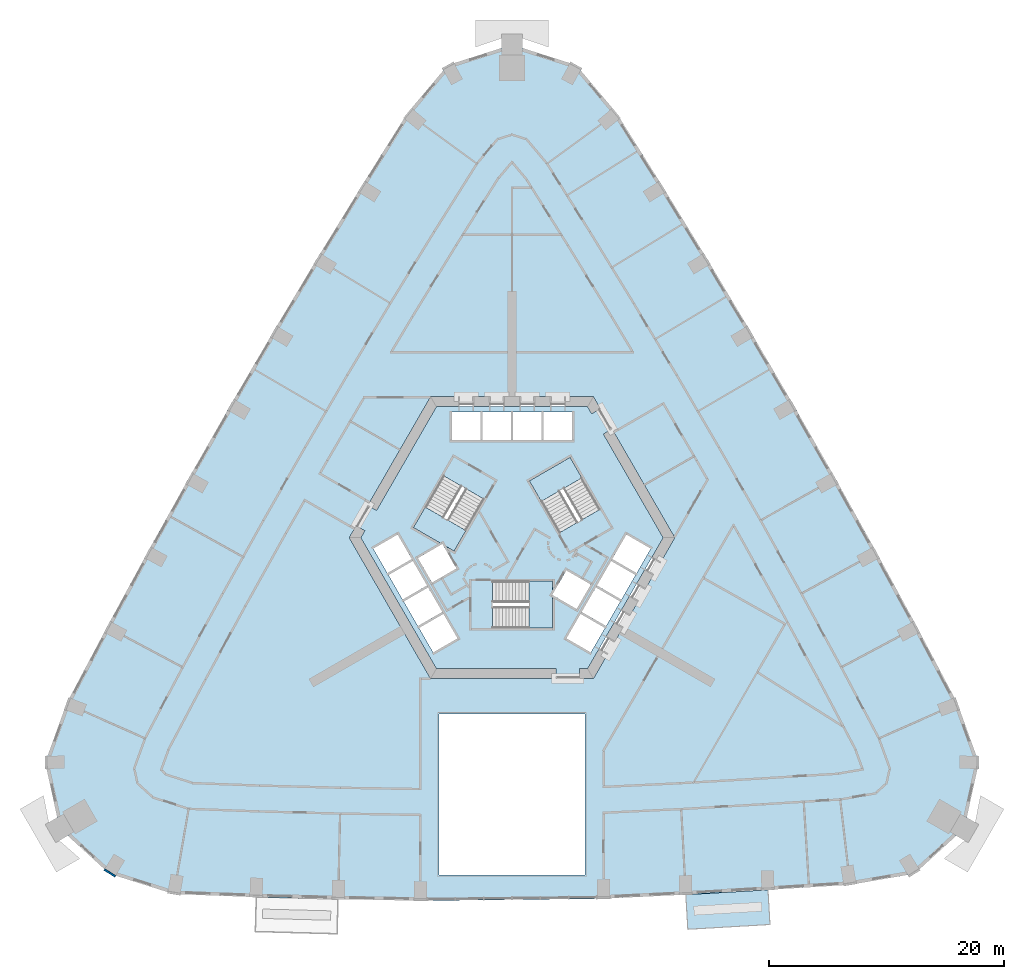
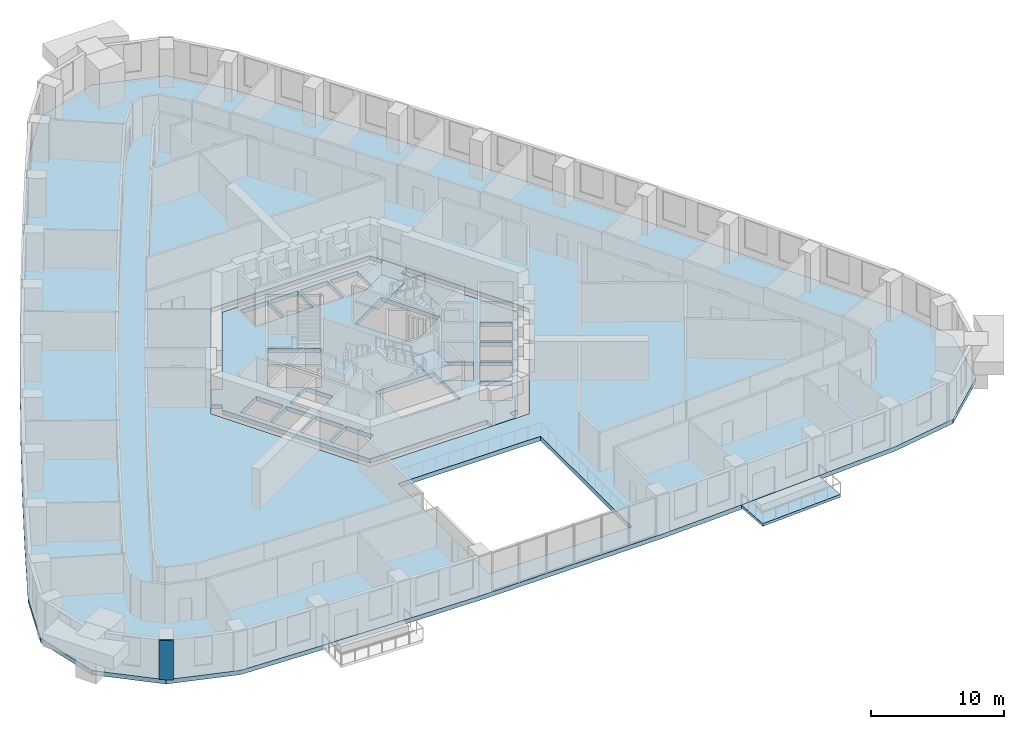
# One storey, part 3 of 15: 6 slabs, 1 wall, 3 elements without a shape of their own.
"""IFC4 building model written with IfcOpenShell, lengths in metres."""

from ifc_helpers import new_model, si_unit, direction, frame, frame_2d, origin, place, context, subcontext, project, spatial, polyline, rectangle, outline, extrude, material, layer, layer_set, type_object, element, aggregate, save


model = new_model("IFC4")

# Units and contexts
model_context = context("Model", 3, precision=1e-05, world=origin(), true_north=direction((0.0, 1.0)))
body_context = subcontext(model_context, "Body", "Model", "MODEL_VIEW")
ifc_project = project(units=[si_unit("LENGTHUNIT", "METRE"), si_unit("AREAUNIT", "SQUARE_METRE"), si_unit("VOLUMEUNIT", "CUBIC_METRE"), si_unit("PLANEANGLEUNIT", "RADIAN"), si_unit("MASSUNIT", "GRAM", prefix="KILO")], contexts=[model_context])

# Site, building, storey
site_placement = place(None, origin())
site = spatial("IfcSite", under=ifc_project, at=site_placement, CompositionType="ELEMENT")
building_placement = place(site_placement, origin())
building = spatial("IfcBuilding", under=site, at=building_placement, Name="Entoto Arch Interchange Tower", CompositionType="ELEMENT")
storey_placement = place(building_placement, frame((0.0, 0.0, 128.60009765625)))
storey = spatial("IfcBuildingStorey", under=building, at=storey_placement, Name="L28", CompositionType="ELEMENT", Elevation=128.60009765625)

# Slabs
ifc_material_1 = material(Name="Board-marked precast concrete C50/60", Category="concrete")
ifc_layer_1 = layer(ifc_material_1, 0.25)
ifc_layer_set_1 = layer_set([ifc_layer_1], Name="Board-marked precast concrete C50/60")
slab_type_1 = type_object("IfcSlabType", Name="BALCONY DECK PRECAST 250", PredefinedType="FLOOR", material=ifc_layer_set_1)
slab_1_placement = place(storey_placement, frame((0.0, 0.0, -0.25)))
element("IfcSlab", 1, at=slab_1_placement, inside=storey, type_object=slab_type_1, Name="Planted balcony S-06 L28", PredefinedType="FLOOR", context=body_context, shape_type="SweptSolid", body=[
    extrude(outline(polyline([(14.794921875, -27.886962890625), (21.7890625, -27.47802734375), (21.9609375, -30.423095703125), (14.967041015625, -30.83203125), (14.794921875, -27.886962890625)])), origin(), (0.0, 0.0, 1.0), 0.25),
])
ifc_material_2 = material(Name="Concrete C40/50", Category="concrete")
ifc_layer_2 = layer(ifc_material_2, 0.39990234375)
ifc_layer_set_2 = layer_set([ifc_layer_2], Name="Concrete C40/50")
slab_type_2 = type_object("IfcSlabType", Name="Core floor slab 400 C40/50", PredefinedType="FLOOR", material=ifc_layer_set_2)
slab_2_placement = place(storey_placement, frame((0.0, 0.0, -0.400146484375)))
element("IfcSlab", 2, at=slab_2_placement, inside=storey, type_object=slab_type_2, Name="Core floor slab L28", PredefinedType="FLOOR", context=body_context, shape_type="SweptSolid", body=[
    extrude(outline(polyline([(5.75, -9.5), (3.75, -9.5), (3.75, -8.64990234375), (-6.43701171875, -8.64990234375), (-12.875, 2.5), (-12.531005859375, 3.094970703125), (-13.26708984375, 3.52001953125), (-12.26708984375, 5.251953125), (-11.531005859375, 4.826904296875), (-6.43701171875, 13.64990234375), (6.43701171875, 13.64990234375), (6.781005859375, 13.054931640625), (7.51708984375, 13.47998046875), (8.51708984375, 11.748046875), (7.781005859375, 11.322998046875), (12.875, 2.5), (6.43701171875, -8.64990234375), (5.75, -8.64990234375), (5.75, -9.5)]), holes=[polyline([(-4.637939453125, -6.06689453125), (-5.837890625, -3.988037109375), (-7.916015625, -5.18798828125), (-6.716064453125, -7.26708984375), (-4.637939453125, -6.06689453125)]), polyline([(-5.93798828125, -3.81494140625), (-7.137939453125, -1.737060546875), (-9.216064453125, -2.93701171875), (-8.01611328125, -5.014892578125), (-5.93798828125, -3.81494140625)]), polyline([(5.5048828125, -3.56494140625), (6.705078125, -1.487060546875), (4.626953125, -0.287109375), (3.449951171875, -2.324951171875), (3.449951171875, -1.199951171875), (-1.64990234375, -1.199951171875), (-1.64990234375, -5.199951171875), (3.449951171875, -5.199951171875), (3.449951171875, -2.3779296875), (5.5048828125, -3.56494140625)]), polyline([(-7.238037109375, -1.56298828125), (-8.43798828125, 0.514892578125), (-10.51611328125, -0.68505859375), (-9.31591796875, -2.762939453125), (-7.238037109375, -1.56298828125)]), polyline([(-4.72705078125, -0.113037109375), (-5.904052734375, 1.925048828125), (-4.928955078125, 1.362060546875), (-2.37890625, 5.779052734375), (-5.843017578125, 7.779052734375), (-8.39306640625, 3.362060546875), (-5.949951171875, 1.951904296875), (-8.0048828125, 0.764892578125), (-6.804931640625, -1.31298828125), (-4.72705078125, -0.113037109375)]), polyline([(-8.5380859375, 0.68798828125), (-9.738037109375, 2.76708984375), (-11.81591796875, 1.56689453125), (-10.615966796875, -0.511962890625), (-8.5380859375, 0.68798828125)]), polyline([(-5.10009765625, 10.800048828125), (-2.699951171875, 10.800048828125), (-2.699951171875, 13.199951171875), (-5.10009765625, 13.199951171875), (-5.10009765625, 10.800048828125)]), polyline([(-2.5, 10.800048828125), (-0.10009765625, 10.800048828125), (-0.10009765625, 13.199951171875), (-2.5, 13.199951171875), (-2.5, 10.800048828125)]), polyline([(5.837890625, -3.988037109375), (4.637939453125, -6.06689453125), (6.716064453125, -7.26708984375), (7.916015625, -5.18798828125), (5.837890625, -3.988037109375)]), polyline([(7.137939453125, -1.737060546875), (5.93798828125, -3.81494140625), (8.01611328125, -5.014892578125), (9.216064453125, -2.93701171875), (7.137939453125, -1.737060546875)]), polyline([(8.43798828125, 0.514892578125), (7.238037109375, -1.56298828125), (9.31591796875, -2.762939453125), (10.51611328125, -0.68505859375), (8.43798828125, 0.514892578125)]), polyline([(9.738037109375, 2.76708984375), (8.5380859375, 0.68798828125), (10.615966796875, -0.511962890625), (11.81591796875, 1.56689453125), (9.738037109375, 2.76708984375)]), polyline([(4.029052734375, 2.9208984375), (7.492919921875, 4.9208984375), (4.943115234375, 9.337890625), (1.47900390625, 7.337890625), (4.029052734375, 2.9208984375)]), polyline([(0.10009765625, 13.199951171875), (0.10009765625, 10.800048828125), (2.5, 10.800048828125), (2.5, 13.199951171875), (0.10009765625, 13.199951171875)]), polyline([(2.699951171875, 13.199951171875), (2.699951171875, 10.800048828125), (5.10009765625, 10.800048828125), (5.10009765625, 13.199951171875), (2.699951171875, 13.199951171875)])]), origin(), (0.0, 0.0, 1.0), 0.400146484375),
])

# Stair, slab
stair_type = type_object("IfcStairType", Name="EXIT STAIR RC 1800", PredefinedType="HALF_TURN_STAIR", material=ifc_material_2)
stair_1_placement = place(storey_placement, origin())
stair_1 = element("IfcStair", 3, at=stair_1_placement, inside=storey, type_object=stair_type, Name="L28 Exit stair S", PredefinedType="HALF_TURN_STAIR")
ifc_layer_3 = layer(ifc_material_2, 0.199951171875)
ifc_layer_set_3 = layer_set([ifc_layer_3], Name="Concrete C40/50")
slab_type_3 = type_object("IfcSlabType", Name="EXIT STAIR LANDING RC 200", PredefinedType="LANDING", material=ifc_layer_set_3)
slab_3_placement = place(storey_placement, frame((0.0, 0.0, 1.89990234375)))
slab_3 = element("IfcSlab", 4, at=slab_3_placement, type_object=slab_type_3, Name="ST-S landing 1", PredefinedType="LANDING", context=body_context, shape_type="SweptSolid", body=[
    extrude(outline(polyline([(1.429931640625, -5.199951171875), (3.449951171875, -5.199951171875), (3.449951171875, -1.199951171875), (1.429931640625, -1.199951171875), (1.429931640625, -5.199951171875)])), origin(), (0.0, 0.0, 1.0), 0.199951171875),
])
aggregate(stair_1, [slab_3])

stair_2_placement = place(storey_placement, origin())
stair_2 = element("IfcStair", 5, at=stair_2_placement, inside=storey, type_object=stair_type, Name="L28 Exit stair NE", PredefinedType="HALF_TURN_STAIR")
slab_4_placement = place(storey_placement, frame((0.0, 0.0, 1.89990234375)))
slab_4 = element("IfcSlab", 6, at=slab_4_placement, type_object=slab_type_3, Name="ST-NE landing 1", PredefinedType="LANDING", context=body_context, shape_type="SweptSolid", body=[
    extrude(outline(polyline([(5.953369140625, 7.58837890625), (4.943359375, 9.337890625), (1.479248046875, 7.337890625), (2.4892578125, 5.58837890625), (5.953369140625, 7.58837890625)])), origin(), (0.0, 0.0, 1.0), 0.199951171875),
])
aggregate(stair_2, [slab_4])

stair_3_placement = place(storey_placement, origin())
stair_3 = element("IfcStair", 7, at=stair_3_placement, inside=storey, type_object=stair_type, Name="L28 Exit stair NW", PredefinedType="HALF_TURN_STAIR")
slab_5_placement = place(storey_placement, frame((0.0, 0.0, 1.89990234375)))
slab_5 = element("IfcSlab", 8, at=slab_5_placement, type_object=slab_type_3, Name="ST-NW landing 1", PredefinedType="LANDING", context=body_context, shape_type="SweptSolid", body=[
    extrude(outline(polyline([(-7.38330078125, 5.111572265625), (-8.393310546875, 3.3623046875), (-4.92919921875, 1.3623046875), (-3.919189453125, 3.111572265625), (-7.38330078125, 5.111572265625)])), origin(), (0.0, 0.0, 1.0), 0.199951171875),
])
aggregate(stair_3, [slab_5])

# Slab
ifc_layer_4 = layer(ifc_material_2, 0.39990234375)
ifc_layer_set_4 = layer_set([ifc_layer_4], Name="Concrete C40/50")
slab_type_4 = type_object("IfcSlabType", Name="Post-tensioned flat plate 400 C40/50", PredefinedType="FLOOR", material=ifc_layer_set_4)
slab_6_placement = place(storey_placement, frame((0.0, 0.0, -0.400146484375)))
element("IfcSlab", 9, at=slab_6_placement, inside=storey, type_object=slab_type_4, Name="Floor slab L28", PredefinedType="FLOOR", context=body_context, shape_type="SweptSolid", body=[
    extrude(outline(polyline([(-28.783935546875, -27.8369140625), (-21.7890625, -28.094970703125), (-14.794921875, -28.281982421875), (-7.800048828125, -28.39794921875), (7.800048828125, -28.22509765625), (14.794921875, -27.886962890625), (21.7890625, -27.47802734375), (28.783935546875, -27.044921875), (34.27587890625, -26.10009765625), (38.512939453125, -22.236083984375), (39.740966796875, -16.635009765625), (37.924072265625, -11.617919921875), (34.468994140625, -5.0869140625), (31.028076171875, 1.25390625), (27.52001953125, 7.55810546875), (23.945068359375, 13.824951171875), (20.305908203125, 20.053955078125), (16.60009765625, 26.243896484375), (12.8291015625, 32.39404296875), (8.90087890625, 38.652099609375), (5.465087890625, 42.73388671875), (0.0, 44.470947265625), (-5.465087890625, 42.73388671875), (-8.90087890625, 38.652099609375), (-12.8291015625, 32.39404296875), (-16.60009765625, 26.243896484375), (-20.305908203125, 20.053955078125), (-23.945068359375, 13.824951171875), (-27.52001953125, 7.55810546875), (-31.028076171875, 1.25390625), (-34.468994140625, -5.0869140625), (-37.924072265625, -11.617919921875), (-39.740966796875, -16.635009765625), (-38.512939453125, -22.236083984375), (-34.27587890625, -26.10009765625), (-28.783935546875, -27.8369140625)]), holes=[polyline([(6.199951171875, -26.22509765625), (6.199951171875, -12.5), (-6.199951171875, -12.5), (-6.199951171875, -26.22509765625), (6.199951171875, -26.22509765625)]), polyline([(13.85595703125, 2.5), (6.927978515625, 14.5), (-6.927978515625, 14.5), (-13.85595703125, 2.5), (-6.927978515625, -9.5), (6.927978515625, -9.5), (13.85595703125, 2.5)])]), origin(), (0.0, 0.0, 1.0), 0.400146484375),
])

# Wall
ifc_material_3 = material(Name="Welded tuff (ignimbrite) cladding, warm buff", Category="masonry")
ifc_layer_5 = layer(ifc_material_3, 0.14990234375)
ifc_layer_set_5 = layer_set([ifc_layer_5], Name="Welded tuff (ignimbrite) cladding, warm buff")
wall_type = type_object("IfcWallType", Name="STONE PIER CLADDING 150", PredefinedType="STANDARD", material=ifc_layer_set_5)
wall_placement = place(storey_placement, frame((-34.70703125, -25.75, 0.0), z_axis=(0.0, 0.0, 1.0), x_axis=(0.854245682901, -0.519869515594, 0.0)))
element("IfcWall", 10, at=wall_placement, inside=storey, type_object=wall_type, Name="Stone pier SW3 L28", PredefinedType="STANDARD", context=body_context, shape_type="SweptSolid", body=[
    extrude(rectangle(XDim=1.100341796875, YDim=0.14990234375, at=frame_2d((0.55029296875, 0.0))), origin(), (0.0, 0.0, 1.0), 3.599853515625),
])

save(model, "model.ifc")
